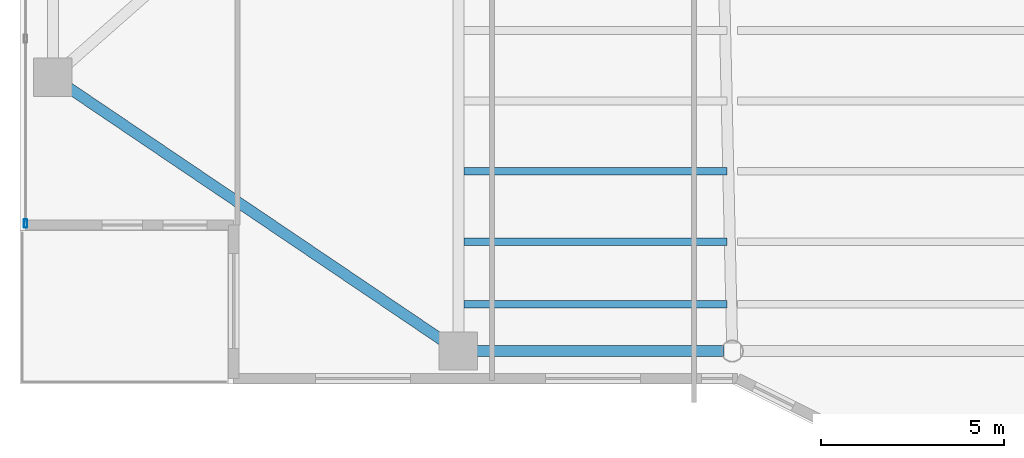
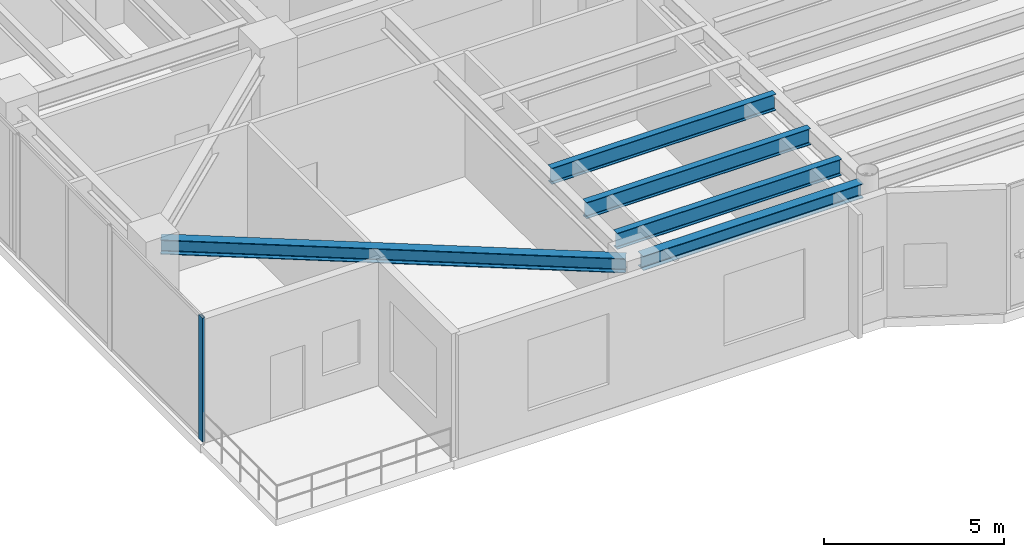
# One storey, part 2 of 37: 5 beams, 1 member, 1 element without a shape of its own.
"""IFC4 building model written with IfcOpenShell, lengths in metres."""

from ifc_helpers import new_model, si_unit, direction, frame, origin, origin_2d, place, context, subcontext, project, spatial, hollow_rectangle, i_section, extrude, material, layer, layer_set, material_profile, profile_set, type_object, element, aggregate, save


model = new_model("IFC4")

# Units and contexts
model_context = context("Model", 3, precision=1e-05, world=origin(), true_north=direction((0.0, 1.0)))
body_context = subcontext(model_context, "Body", "Model", "MODEL_VIEW")
ifc_project = project(units=[si_unit("LENGTHUNIT", "METRE"), si_unit("AREAUNIT", "SQUARE_METRE"), si_unit("VOLUMEUNIT", "CUBIC_METRE"), si_unit("PLANEANGLEUNIT", "RADIAN"), si_unit("MASSUNIT", "GRAM", prefix="KILO")], contexts=[model_context])

# Site, building, storey
site_placement = place(None, origin())
site = spatial("IfcSite", under=ifc_project, at=site_placement, CompositionType="ELEMENT")
building_placement = place(site_placement, origin())
building = spatial("IfcBuilding", under=site, at=building_placement, Name="Tarnavaz Court Tower", CompositionType="ELEMENT")
storey_placement = place(building_placement, frame((0.0, 0.0, 118.5)))
storey = spatial("IfcBuildingStorey", under=building, at=storey_placement, Name="L32", CompositionType="ELEMENT", Elevation=118.5)

# Beams
ifc_material_1 = material(Name="Steel S355", Category="steel")
ifc_material_profile_1 = material_profile(ifc_material_1, i_section(OverallWidth=0.2099609375, OverallDepth=0.550048828125, WebThickness=0.010986328125, FlangeThickness=0.01708984375, FilletRadius=0.02392578125, at=origin_2d()), Name="IPE 550")
ifc_profile_set_1 = profile_set([ifc_material_profile_1], Name="Steel S355")
beam_type_1 = type_object("IfcBeamType", Name="BM-J-IPE550", PredefinedType="JOIST", material=ifc_profile_set_1)
for number, where, z_axis, x_axis, name in (
    (1, (-14.85009765625, -16.3779296875, 3.925048828125), (1.0, 0.0, 0.0), (0.0, 1.0, 0.0), "L32 Beam JS3-1"),
    (2, (-14.85009765625, -18.303955078125, 3.925048828125), (1.0, 0.0, 0.0), (0.0, 1.0, 0.0), "L32 Beam JS4-1"),
    (3, (-14.85009765625, -20.01611328125, 3.925048828125), (1.0, 0.0, 0.0), (0.0, 1.0, 0.0), "L32 Beam JS5-1"),
):
    element("IfcBeam", number, at=place(storey_placement, frame(where, z_axis=z_axis, x_axis=x_axis)), inside=storey, type_object=beam_type_1, Name=name, PredefinedType="JOIST", context=body_context, shape_type="SweptSolid", body=[
        extrude(i_section(OverallWidth=0.2099609375, OverallDepth=0.550048828125, WebThickness=0.010986328125, FlangeThickness=0.01708984375, FilletRadius=0.02392578125, at=origin_2d()), origin(), (0.0, 0.0, 1.0), 7.2001953125),
    ])
ifc_material_profile_2 = material_profile(ifc_material_1, i_section(OverallWidth=0.300048828125, OverallDepth=0.489990234375, WebThickness=0.011962890625, FlangeThickness=0.02294921875, FilletRadius=0.027099609375, at=origin_2d()), Name="HEA 500")
ifc_profile_set_2 = profile_set([ifc_material_profile_2], Name="Steel S355")
beam_type_2 = type_object("IfcBeamType", Name="BM-SP-HEA500", PredefinedType="SPANDREL", material=ifc_profile_set_2)
beam_1_placement = place(storey_placement, frame((-14.780029296875, -21.300048828125, 3.955078125), z_axis=(1.0, 0.0, 0.0), x_axis=(0.0, 1.0, 0.0)))
element("IfcBeam", 4, at=beam_1_placement, inside=storey, type_object=beam_type_2, Name="L32 Beam PR-PS-1-PS-2", PredefinedType="SPANDREL", context=body_context, shape_type="SweptSolid", body=[
    extrude(i_section(OverallWidth=0.300048828125, OverallDepth=0.489990234375, WebThickness=0.011962890625, FlangeThickness=0.02294921875, FilletRadius=0.027099609375, at=origin_2d()), origin(), (0.0, 0.0, 1.0), 7.06005859375),
])
beam_2_placement = place(storey_placement, frame((-15.182373046875, -21.1767578125, 3.955078125), z_axis=(-0.828587314918, 0.559859858854, 0.0), x_axis=(-0.559859858854, -0.828587314918, 0.0)))
element("IfcBeam", 5, at=beam_2_placement, inside=storey, type_object=beam_type_2, Name="L32 Beam PR-PS-1-PW-1", PredefinedType="SPANDREL", context=body_context, shape_type="SweptSolid", body=[
    extrude(i_section(OverallWidth=0.300048828125, OverallDepth=0.489990234375, WebThickness=0.011962890625, FlangeThickness=0.02294921875, FilletRadius=0.027099609375, at=origin_2d()), origin(), (0.0, 0.0, 1.0), 12.956298828125),
])

# Curtain wall, member
ifc_material_2 = material(Name="Anodised Aluminium 6063-T6 and Solar Low-E Glazing", Category="aluminium")
ifc_layer = layer(ifc_material_2, 0.199951171875)
ifc_layer_set = layer_set([ifc_layer], Name="Anodised Aluminium 6063-T6 and Solar Low-E Glazing")
curtain_wall_type = type_object("IfcCurtainWallType", Name="CW-SYS-05", PredefinedType="NOTDEFINED", material=ifc_layer_set)
curtain_wall_placement = place(storey_placement, origin())
curtain_wall = element("IfcCurtainWall", 6, at=curtain_wall_placement, inside=storey, type_object=curtain_wall_type, Name="L32 Sky-Portal Curtain Wall 2", PredefinedType="NOTDEFINED")
ifc_material_3 = material(Name="Anodised Aluminium 6063-T6", Category="aluminium")
ifc_material_profile_3 = material_profile(ifc_material_3, hollow_rectangle(XDim=0.0849609375, YDim=0.219970703125, WallThickness=0.006103515625, InnerFilletRadius=0.006103515625, OuterFilletRadius=0.011962890625, at=origin_2d()), Name="ALU RHS 220X85X6")
ifc_profile_set_3 = profile_set([ifc_material_profile_3], Name="Anodised Aluminium 6063-T6")
member_type = type_object("IfcMemberType", Name="CW-MUL-220", PredefinedType="MULLION", material=ifc_profile_set_3)
member_placement = place(storey_placement, frame((-26.85009765625, -17.8076171875, 0.0), z_axis=(0.0, 0.0, 1.0), x_axis=(-1.0, 0.0, 0.0)))
member = element("IfcMember", 7, at=member_placement, type_object=member_type, Name="CW mullion 1", PredefinedType="MULLION", context=body_context, shape_type="SweptSolid", body=[
    extrude(hollow_rectangle(XDim=0.0849609375, YDim=0.219970703125, WallThickness=0.006103515625, InnerFilletRadius=0.006103515625, OuterFilletRadius=0.011962890625, at=origin_2d()), origin(), (0.0, 0.0, 1.0), 4.199951171875),
])
aggregate(curtain_wall, [member])

save(model, "model.ifc")
